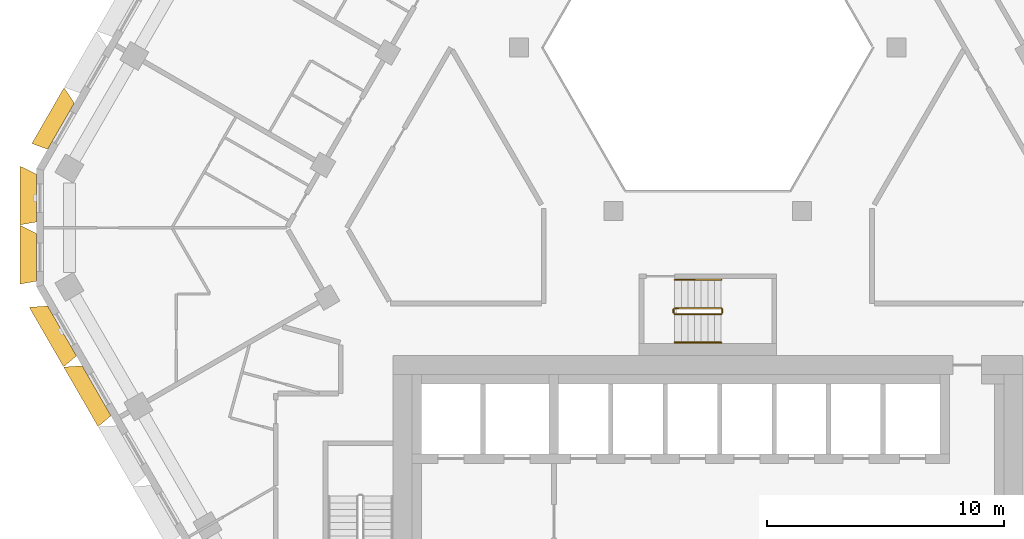
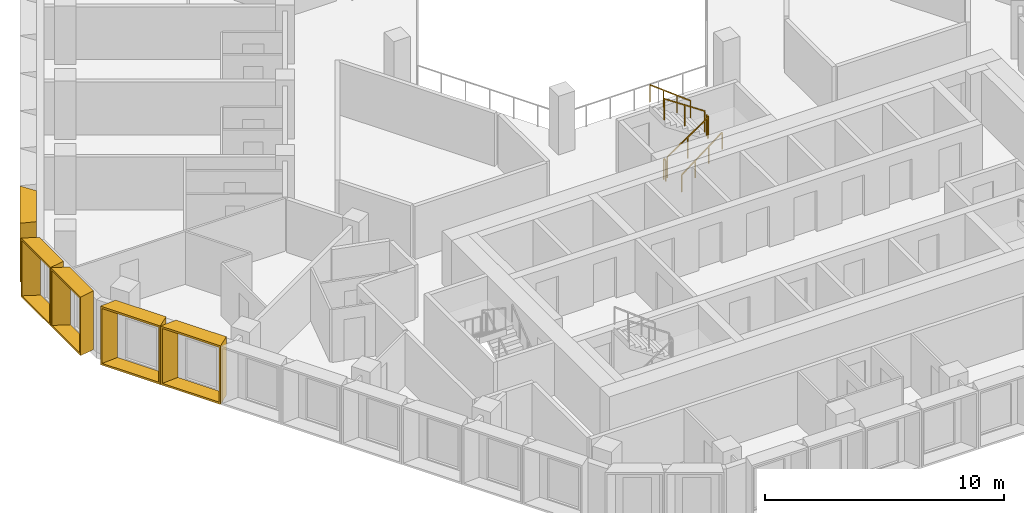
# One storey, part 15 of 17: 6 railings, 5 shading devices.
"""IFC4 building model written with IfcOpenShell, lengths in metres."""

from ifc_helpers import new_model, entity, si_unit, direction, frame, origin, origin_2d, place, context, subcontext, project, spatial, rectangle, extrude, source, transform, mapped, material, type_object, type_shapes, element, save


model = new_model("IFC4")

# Units and contexts
model_context = context("Model", 3, precision=1e-05, world=origin(), true_north=direction((0.0, 1.0)))
body_context = subcontext(model_context, "Body", "Model", "MODEL_VIEW")
ifc_project = project(units=[si_unit("LENGTHUNIT", "METRE"), si_unit("AREAUNIT", "SQUARE_METRE"), si_unit("VOLUMEUNIT", "CUBIC_METRE"), si_unit("PLANEANGLEUNIT", "RADIAN"), si_unit("MASSUNIT", "GRAM", prefix="KILO")], contexts=[model_context])

# Site, building, storey
site_placement = place(None, origin())
site = spatial("IfcSite", under=ifc_project, at=site_placement, CompositionType="ELEMENT")
building_placement = place(site_placement, origin())
building = spatial("IfcBuilding", under=site, at=building_placement, Name="Beryl Residences", CompositionType="ELEMENT")
storey_placement = place(building_placement, frame((0.0, 0.0, 126.60009765625)))
storey = spatial("IfcBuildingStorey", under=building, at=storey_placement, Name="L38", CompositionType="ELEMENT", Elevation=126.60009765625)

# Shading devices
ifc_material_1 = material(Name="Aluminium pale anodised", Category="aluminium")
shading_device_type_1 = type_object("IfcShadingDeviceType", Name="FR250-70B OUTER SKIN frame 700 mm deep, splay 26/10 deg, 2500 x 3000 mm cell", PredefinedType="USERDEFINED", material=ifc_material_1)
cartesian_point_1 = entity("IfcCartesianPoint", [-1.007568359375, 0.0])
cartesian_point_2 = entity("IfcCartesianPoint", [-0.91845703125, 0.10009765625])
cartesian_point_3 = entity("IfcCartesianPoint", [-1.348876953125, 0.0])
cartesian_point_4 = entity("IfcCartesianPoint", [-1.260009765625, 0.10009765625])
shared_shape_1 = source(origin(), body_context, "Body", "SweptSolid", [
    entity("IfcExtrudedAreaSolidTapered", entity("IfcArbitraryProfileDefWithVoids", "AREA", None, entity("IfcPolyline", [cartesian_point_1, entity("IfcCartesianPoint", [1.007568359375, 0.0]), entity("IfcCartesianPoint", [1.007568359375, 3.0]), entity("IfcCartesianPoint", [-1.007568359375, 3.0]), cartesian_point_1]), [entity("IfcPolyline", [cartesian_point_2, entity("IfcCartesianPoint", [0.92626953125, 0.10009765625]), entity("IfcCartesianPoint", [0.92626953125, 2.89990234375]), entity("IfcCartesianPoint", [-0.91845703125, 2.89990234375]), cartesian_point_2])]), entity("IfcAxis2Placement3D", entity("IfcCartesianPoint", [0.0, 0.0, 0.0]), entity("IfcDirection", [0.0, 1.0, 0.0]), entity("IfcDirection", [-1.0, 0.0, 0.0])), entity("IfcDirection", [0.0, 0.0, 1.0]), 0.699951171875, entity("IfcArbitraryProfileDefWithVoids", "AREA", None, entity("IfcPolyline", [cartesian_point_3, entity("IfcCartesianPoint", [1.130859375, 0.0]), entity("IfcCartesianPoint", [1.130859375, 3.0]), entity("IfcCartesianPoint", [-1.348876953125, 3.0]), cartesian_point_3]), [entity("IfcPolyline", [cartesian_point_4, entity("IfcCartesianPoint", [1.0498046875, 0.10009765625]), entity("IfcCartesianPoint", [1.0498046875, 2.89990234375]), entity("IfcCartesianPoint", [-1.260009765625, 2.89990234375]), cartesian_point_4])])),
])
type_shapes(shading_device_type_1, [shared_shape_1])
for number, where, z_axis, x_axis, name in (
    (1, (-28.347900390625, 1.64990234375, 0.0), (0.0, 0.0, 1.0), (0.0, 1.0, 0.0), "FR250-70B frame L38 NW-SW 1"),
    (2, (-28.347900390625, -0.85009765625, 0.0), (0.0, 0.0, 1.0), (0.0, 1.0, 0.0), "FR250-70B frame L38 NW-SW 2"),
):
    element("IfcShadingDevice", number, at=place(storey_placement, frame(where, z_axis=z_axis, x_axis=x_axis)), inside=storey, type_object=shading_device_type_1, Name=name, ObjectType="OUTER SKIN", PredefinedType="USERDEFINED", context=body_context, shape_type="MappedRepresentation", body=[
        mapped(shared_shape_1, transform((0.0, 0.0, 0.0))),
    ])
ifc_material_2 = material(Name="Aluminium pale anodised", Category="aluminium")
shading_device_type_2 = type_object("IfcShadingDeviceType", Name="FR274-70B OUTER SKIN frame 700 mm deep, splay 26/10 deg, 2740 x 3000 mm cell", PredefinedType="USERDEFINED", material=ifc_material_2)
cartesian_point_5 = entity("IfcCartesianPoint", [-1.12744140625, 0.0])
cartesian_point_6 = entity("IfcCartesianPoint", [-1.03857421875, 0.10009765625])
cartesian_point_7 = entity("IfcCartesianPoint", [-1.468994140625, 0.0])
cartesian_point_8 = entity("IfcCartesianPoint", [-1.3798828125, 0.10009765625])
shared_shape_2 = source(origin(), body_context, "Body", "SweptSolid", [
    entity("IfcExtrudedAreaSolidTapered", entity("IfcArbitraryProfileDefWithVoids", "AREA", None, entity("IfcPolyline", [cartesian_point_5, entity("IfcCartesianPoint", [1.12744140625, 0.0]), entity("IfcCartesianPoint", [1.12744140625, 3.0]), entity("IfcCartesianPoint", [-1.12744140625, 3.0]), cartesian_point_5]), [entity("IfcPolyline", [cartesian_point_6, entity("IfcCartesianPoint", [1.04638671875, 0.10009765625]), entity("IfcCartesianPoint", [1.04638671875, 2.89990234375]), entity("IfcCartesianPoint", [-1.03857421875, 2.89990234375]), cartesian_point_6])]), entity("IfcAxis2Placement3D", entity("IfcCartesianPoint", [0.0, 0.0, 0.0]), entity("IfcDirection", [0.0, 1.0, 0.0]), entity("IfcDirection", [-1.0, 0.0, 0.0])), entity("IfcDirection", [0.0, 0.0, 1.0]), 0.699951171875, entity("IfcArbitraryProfileDefWithVoids", "AREA", None, entity("IfcPolyline", [cartesian_point_7, entity("IfcCartesianPoint", [1.2509765625, 0.0]), entity("IfcCartesianPoint", [1.2509765625, 3.0]), entity("IfcCartesianPoint", [-1.468994140625, 3.0]), cartesian_point_7]), [entity("IfcPolyline", [cartesian_point_8, entity("IfcCartesianPoint", [1.169677734375, 0.10009765625]), entity("IfcCartesianPoint", [1.169677734375, 2.89990234375]), entity("IfcCartesianPoint", [-1.3798828125, 2.89990234375]), cartesian_point_8])])),
])
type_shapes(shading_device_type_2, [shared_shape_2])
shading_device_placement = place(storey_placement, frame((-27.31591796875, 4.68701171875, 0.0), z_axis=(0.0, 0.0, 1.0), x_axis=(0.5, 0.866025403784, 0.0)))
element("IfcShadingDevice", 3, at=shading_device_placement, inside=storey, type_object=shading_device_type_2, Name="FR274-70B frame L38 NW 8", ObjectType="OUTER SKIN", PredefinedType="USERDEFINED", context=body_context, shape_type="MappedRepresentation", body=[
    mapped(shared_shape_2, transform((0.0, 0.0, 0.0))),
])
ifc_material_3 = material(Name="Aluminium pale anodised", Category="aluminium")
shading_device_type_3 = type_object("IfcShadingDeviceType", Name="FR292-70B OUTER SKIN frame 700 mm deep, splay 26/10 deg, 2920 x 3000 mm cell", PredefinedType="USERDEFINED", material=ifc_material_3)
cartesian_point_9 = entity("IfcCartesianPoint", [-1.217529296875, 0.0])
cartesian_point_10 = entity("IfcCartesianPoint", [-1.12841796875, 0.10009765625])
cartesian_point_11 = entity("IfcCartesianPoint", [-1.558837890625, 0.0])
cartesian_point_12 = entity("IfcCartesianPoint", [-1.469970703125, 0.10009765625])
shared_shape_3 = source(origin(), body_context, "Body", "SweptSolid", [
    entity("IfcExtrudedAreaSolidTapered", entity("IfcArbitraryProfileDefWithVoids", "AREA", None, entity("IfcPolyline", [cartesian_point_9, entity("IfcCartesianPoint", [1.217529296875, 0.0]), entity("IfcCartesianPoint", [1.217529296875, 3.0]), entity("IfcCartesianPoint", [-1.217529296875, 3.0]), cartesian_point_9]), [entity("IfcPolyline", [cartesian_point_10, entity("IfcCartesianPoint", [1.13623046875, 0.10009765625]), entity("IfcCartesianPoint", [1.13623046875, 2.89990234375]), entity("IfcCartesianPoint", [-1.12841796875, 2.89990234375]), cartesian_point_10])]), entity("IfcAxis2Placement3D", entity("IfcCartesianPoint", [0.0, 0.0, 0.0]), entity("IfcDirection", [0.0, 1.0, 0.0]), entity("IfcDirection", [-1.0, 0.0, 0.0])), entity("IfcDirection", [0.0, 0.0, 1.0]), 0.699951171875, entity("IfcArbitraryProfileDefWithVoids", "AREA", None, entity("IfcPolyline", [cartesian_point_11, entity("IfcCartesianPoint", [1.3408203125, 0.0]), entity("IfcCartesianPoint", [1.3408203125, 3.0]), entity("IfcCartesianPoint", [-1.558837890625, 3.0]), cartesian_point_11]), [entity("IfcPolyline", [cartesian_point_12, entity("IfcCartesianPoint", [1.259765625, 0.10009765625]), entity("IfcCartesianPoint", [1.259765625, 2.89990234375]), entity("IfcCartesianPoint", [-1.469970703125, 2.89990234375]), cartesian_point_12])])),
])
type_shapes(shading_device_type_3, [shared_shape_3])
for number, where, z_axis, x_axis, name in (
    (4, (-27.27294921875, -3.9619140625, 0.0), (0.0, 0.0, 1.0), (-0.5, 0.866025403784, 0.0), "FR292-70B frame L38 SW 1"),
    (5, (-25.81494140625, -6.487060546875, 0.0), (0.0, 0.0, 1.0), (-0.5, 0.866025403784, 0.0), "FR292-70B frame L38 SW 2"),
):
    element("IfcShadingDevice", number, at=place(storey_placement, frame(where, z_axis=z_axis, x_axis=x_axis)), inside=storey, type_object=shading_device_type_3, Name=name, ObjectType="OUTER SKIN", PredefinedType="USERDEFINED", context=body_context, shape_type="MappedRepresentation", body=[
        mapped(shared_shape_3, transform((0.0, 0.0, 0.0))),
    ])

# Railings
ifc_material_4 = material(Name="Stainless steel balustrade with glass infill", Category="steel")
railing_type_1 = type_object("IfcRailingType", Name="SG1 stair guard 1100 mm", PredefinedType="GUARDRAIL", material=ifc_material_4)
railing_1_placement = place(storey_placement, frame((-1.39990234375, -3.25, 0.1875)))
element("IfcRailing", 6, at=railing_1_placement, inside=storey, type_object=railing_type_1, Name="L38 ST-4 stair guard 1", PredefinedType="GUARDRAIL", context=body_context, shape_type="SweptSolid", body=[
    extrude(rectangle(XDim=0.048095703125, YDim=0.048095703125, at=origin_2d()), frame((0.0, 0.0, 1.076171875), z_axis=(0.830902050051, 0.0, 0.556418712142), x_axis=(0.0, 1.0, 0.0)), (0.0, 0.0, 1.0), 2.35888671875),
    extrude(rectangle(XDim=0.0419921875, YDim=0.0419921875, at=origin_2d()), origin(), (0.0, 0.0, 1.0), 1.052001953125),
    extrude(rectangle(XDim=0.0419921875, YDim=0.0419921875, at=origin_2d()), frame((0.97998046875, 0.0, 0.65625)), (0.0, 0.0, 1.0), 1.052001953125),
    extrude(rectangle(XDim=0.0419921875, YDim=0.0419921875, at=origin_2d()), frame((1.9599609375, 0.0, 1.3125)), (0.0, 0.0, 1.0), 1.052001953125),
])
railing_2_placement = place(storey_placement, frame((0.610107421875, -3.199951171875, 1.5)))
element("IfcRailing", 7, at=railing_2_placement, inside=storey, type_object=railing_type_1, Name="L38 ST-4 stair guard 2", PredefinedType="GUARDRAIL", context=body_context, shape_type="SweptSolid", body=[
    extrude(rectangle(XDim=0.048095703125, YDim=0.048095703125, at=origin_2d()), frame((0.0, 0.0, 1.076171875), z_axis=(0.0, 1.0, 0.0), x_axis=(-1.0, 0.0, 0.0)), (0.0, 0.0, 1.0), 0.14990234375),
    extrude(rectangle(XDim=0.0419921875, YDim=0.0419921875, at=origin_2d()), origin(), (0.0, 0.0, 1.0), 1.052001953125),
    extrude(rectangle(XDim=0.0419921875, YDim=0.0419921875, at=origin_2d()), frame((0.0, 0.14990234375, 0.0)), (0.0, 0.0, 1.0), 1.052001953125),
])
railing_3_placement = place(storey_placement, frame((0.56005859375, -3.0, 1.6875)))
element("IfcRailing", 8, at=railing_3_placement, inside=storey, type_object=railing_type_1, Name="L38 ST-4 stair guard 3", PredefinedType="GUARDRAIL", context=body_context, shape_type="SweptSolid", body=[
    extrude(rectangle(XDim=0.048095703125, YDim=0.048095703125, at=origin_2d()), frame((0.0, 0.0, 1.076171875), z_axis=(-0.830902050051, 0.0, 0.556418712142), x_axis=(0.0, -1.0, 0.0)), (0.0, 0.0, 1.0), 2.35888671875),
    extrude(rectangle(XDim=0.0419921875, YDim=0.0419921875, at=origin_2d()), origin(), (0.0, 0.0, 1.0), 1.052001953125),
    extrude(rectangle(XDim=0.0419921875, YDim=0.0419921875, at=origin_2d()), frame((-0.97998046875, 0.0, 0.65625)), (0.0, 0.0, 1.0), 1.052001953125),
    extrude(rectangle(XDim=0.0419921875, YDim=0.0419921875, at=origin_2d()), frame((-1.9599609375, 0.0, 1.3125)), (0.0, 0.0, 1.0), 1.052001953125),
])
railing_4_placement = place(storey_placement, frame((-1.449951171875, -3.199951171875, 0.0)))
element("IfcRailing", 9, at=railing_4_placement, inside=storey, type_object=railing_type_1, Name="L38 ST-4 stair guard 4", PredefinedType="GUARDRAIL", context=body_context, shape_type="SweptSolid", body=[
    extrude(rectangle(XDim=0.048095703125, YDim=0.048095703125, at=origin_2d()), frame((0.0, 0.0, 1.076171875), z_axis=(0.0, 1.0, 0.0), x_axis=(-1.0, 0.0, 0.0)), (0.0, 0.0, 1.0), 0.14990234375),
    extrude(rectangle(XDim=0.0419921875, YDim=0.0419921875, at=origin_2d()), origin(), (0.0, 0.0, 1.0), 1.052001953125),
    extrude(rectangle(XDim=0.0419921875, YDim=0.0419921875, at=origin_2d()), frame((0.0, 0.14990234375, 0.0)), (0.0, 0.0, 1.0), 1.052001953125),
])
ifc_material_5 = material(Name="Stainless steel handrail", Category="steel")
railing_type_2 = type_object("IfcRailingType", Name="SRL1 stair handrail 900 mm", PredefinedType="HANDRAIL", material=ifc_material_5)
railing_5_placement = place(storey_placement, frame((-1.39990234375, -4.449951171875, 0.1875)))
element("IfcRailing", 10, at=railing_5_placement, inside=storey, type_object=railing_type_2, Name="L38 ST-4 stair handrail 1", PredefinedType="HANDRAIL", context=body_context, shape_type="SweptSolid", body=[
    extrude(rectangle(XDim=0.048095703125, YDim=0.048095703125, at=origin_2d()), frame((0.0, 0.0, 0.8759765625), z_axis=(0.794121922505, 0.0, 0.607758481798), x_axis=(0.0, 1.0, 0.0)), (0.0, 0.0, 1.0), 2.468017578125),
    extrude(rectangle(XDim=0.0419921875, YDim=0.0419921875, at=origin_2d()), origin(), (0.0, 0.0, 1.0), 0.851806640625),
    extrude(rectangle(XDim=0.0419921875, YDim=0.0419921875, at=origin_2d()), frame((0.6533203125, 0.0, 0.5)), (0.0, 0.0, 1.0), 0.851806640625),
    extrude(rectangle(XDim=0.0419921875, YDim=0.0419921875, at=origin_2d()), frame((1.306640625, 0.0, 1.0)), (0.0, 0.0, 1.0), 0.851806640625),
    extrude(rectangle(XDim=0.0419921875, YDim=0.0419921875, at=origin_2d()), frame((1.9599609375, 0.0, 1.5)), (0.0, 0.0, 1.0), 0.851806640625),
])
railing_6_placement = place(storey_placement, frame((0.56005859375, -1.800048828125, 1.6875)))
element("IfcRailing", 11, at=railing_6_placement, inside=storey, type_object=railing_type_2, Name="L38 ST-4 stair handrail 2", PredefinedType="HANDRAIL", context=body_context, shape_type="SweptSolid", body=[
    extrude(rectangle(XDim=0.048095703125, YDim=0.048095703125, at=origin_2d()), frame((0.0, 0.0, 0.8759765625), z_axis=(-0.794121922505, 0.0, 0.607758481798), x_axis=(0.0, -1.0, 0.0)), (0.0, 0.0, 1.0), 2.468017578125),
    extrude(rectangle(XDim=0.0419921875, YDim=0.0419921875, at=origin_2d()), origin(), (0.0, 0.0, 1.0), 0.851806640625),
    extrude(rectangle(XDim=0.0419921875, YDim=0.0419921875, at=origin_2d()), frame((-0.6533203125, 0.0, 0.5)), (0.0, 0.0, 1.0), 0.851806640625),
    extrude(rectangle(XDim=0.0419921875, YDim=0.0419921875, at=origin_2d()), frame((-1.306640625, 0.0, 1.0)), (0.0, 0.0, 1.0), 0.851806640625),
    extrude(rectangle(XDim=0.0419921875, YDim=0.0419921875, at=origin_2d()), frame((-1.9599609375, 0.0, 1.5)), (0.0, 0.0, 1.0), 0.851806640625),
])

save(model, "model.ifc")
